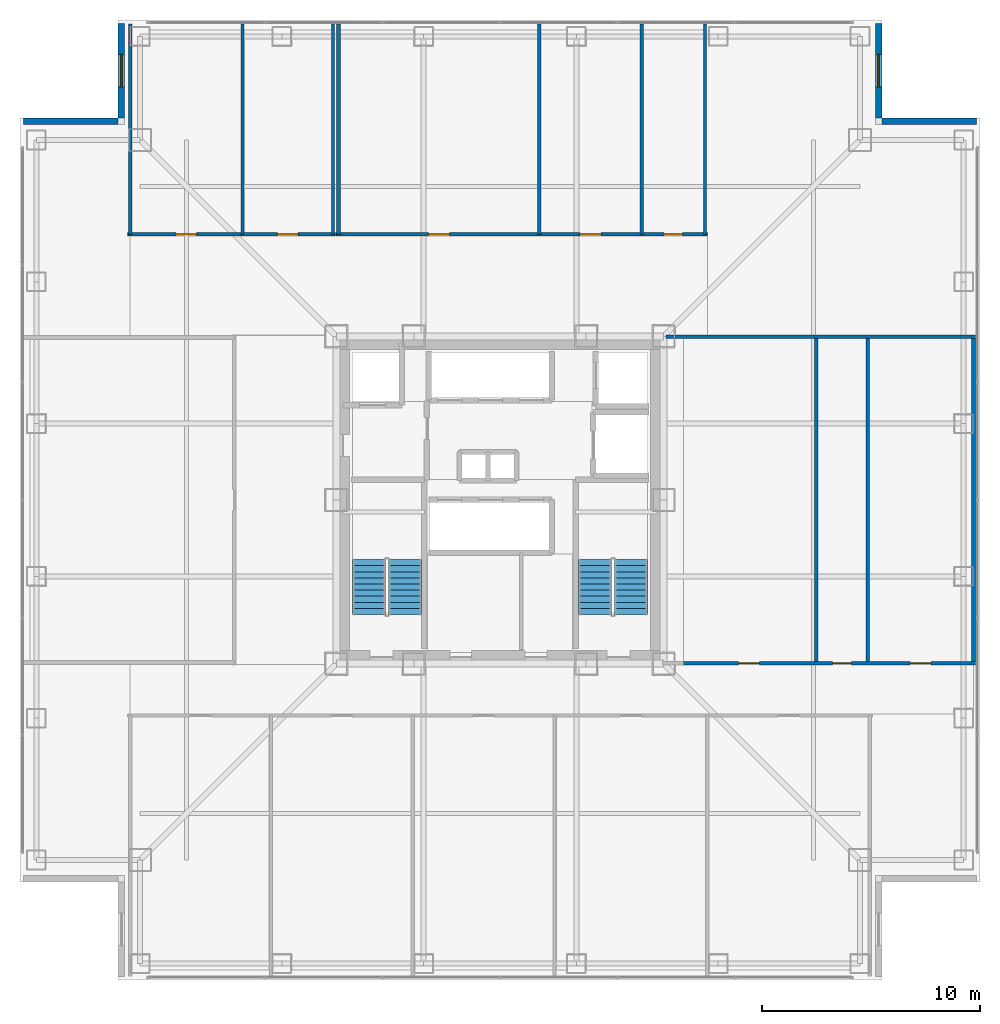
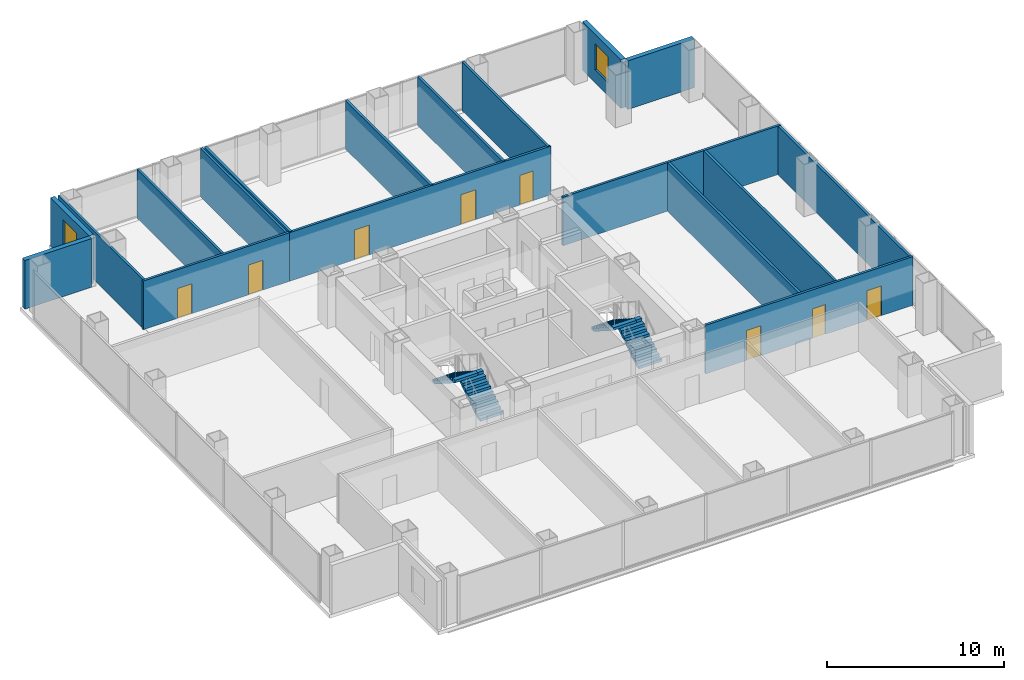
# One storey, part 14 of 17: 18 walls, 8 doors, 4 stair flights, 2 windows, 10 openings, 2 elements without a shape of their own.
"""IFC4 building model written with IfcOpenShell, lengths in metres."""

from ifc_helpers import new_model, si_unit, direction, frame, frame_2d, origin, place, context, subcontext, project, spatial, polyline, rectangle, outline, extrude, material, layer, layer_set, type_object, element, fill, aggregate, save


model = new_model("IFC4")

# Units and contexts
model_context = context("Model", 3, precision=1e-05, world=origin(), true_north=direction((0.0, 1.0)))
body_context = subcontext(model_context, "Body", "Model", "MODEL_VIEW")
ifc_project = project(units=[si_unit("LENGTHUNIT", "METRE"), si_unit("AREAUNIT", "SQUARE_METRE"), si_unit("VOLUMEUNIT", "CUBIC_METRE"), si_unit("PLANEANGLEUNIT", "RADIAN"), si_unit("MASSUNIT", "GRAM", prefix="KILO")], contexts=[model_context])

# Site, building, storey
site_placement = place(None, origin())
site = spatial("IfcSite", under=ifc_project, at=site_placement, CompositionType="ELEMENT")
building_placement = place(site_placement, origin())
building = spatial("IfcBuilding", under=site, at=building_placement, Name="Trevonay Congress Spire", CompositionType="ELEMENT")
storey_placement = place(building_placement, frame((0.0, 0.0, 108.39990234375)))
storey = spatial("IfcBuildingStorey", under=building, at=storey_placement, Name="L27", CompositionType="ELEMENT", Elevation=108.39990234375)

# Wall, openings, doors
ifc_material_1 = material(Name="Concrete C40/50", Category="concrete")
ifc_layer_1 = layer(ifc_material_1, 0.14990234375, Name="Concrete C40/50")
ifc_layer_set_1 = layer_set([ifc_layer_1], Name="Concrete C40/50")
wall_type_1 = type_object("IfcWallType", Name="WAL-CORR-150", PredefinedType="PARTITIONING", material=ifc_layer_set_1)
wall_1_placement = place(storey_placement, frame((-17.070068359375, 12.179931640625, 0.0), z_axis=(0.0, 0.0, 1.0), x_axis=(1.0, 0.0, 0.0)))
wall_1 = element("IfcWall", 1, at=wall_1_placement, inside=storey, type_object=wall_type_1, Name="L27 interior wall WP-L27NW-COR", PredefinedType="PARTITIONING", context=body_context, shape_type="SweptSolid", body=[
    extrude(rectangle(XDim=9.5400390625, YDim=0.14990234375, at=frame_2d((4.77001953125, 0.0))), origin(), (0.0, 0.0, 1.0), 3.360107421875),
])
opening_1_placement = place(wall_1_placement, frame((2.219970703125, 0.0, 0.0)))
opening_1 = element("IfcOpeningElement", 2, at=opening_1_placement, cuts=wall_1, Name="Opening D07", PredefinedType="OPENING", context=body_context, shape_type="SweptSolid", body=[
    extrude(rectangle(XDim=0.949951171875, YDim=2.06005859375, at=frame_2d((0.47509765625, 1.030029296875))), frame((0.0, 0.0849609375, 0.0), z_axis=(0.0, -1.0, 0.0), x_axis=(1.0, 0.0, 0.0)), (0.0, 0.0, 1.0), 0.169921875),
])
opening_2_placement = place(wall_1_placement, frame((6.8701171875, 0.0, 0.0)))
opening_2 = element("IfcOpeningElement", 3, at=opening_2_placement, cuts=wall_1, Name="Opening D07", PredefinedType="OPENING", context=body_context, shape_type="SweptSolid", body=[
    extrude(rectangle(XDim=0.949951171875, YDim=2.06005859375, at=frame_2d((0.47509765625, 1.030029296875))), frame((0.0, 0.0849609375, 0.0), z_axis=(0.0, -1.0, 0.0), x_axis=(1.0, 0.0, 0.0)), (0.0, 0.0, 1.0), 0.169921875),
])
ifc_material_2 = material(Name="Pale Anodised Aluminium EN AW-6063-T6", Category="aluminium")
door_type_1 = type_object("IfcDoorType", Name="DOR-OFFICE-95", OperationType="NOTDEFINED", PredefinedType="DOOR", material=ifc_material_2)
door_1_placement = place(opening_1_placement, origin())
door_1 = element("IfcDoor", 4, at=door_1_placement, inside=storey, type_object=door_type_1, Name="L27 Archive Registry Office Door", OperationType="SINGLE_SWING_LEFT", OverallHeight=2.06005859375, OverallWidth=0.949951171875, PredefinedType="DOOR", context=body_context, shape_type="SweptSolid", body=[
    extrude(rectangle(XDim=0.949951171875, YDim=2.06005859375, at=frame_2d((0.47509765625, 1.030029296875))), frame((0.0, 0.02490234375, 0.0), z_axis=(0.0, -1.0, 0.0), x_axis=(1.0, 0.0, 0.0)), (0.0, 0.0, 1.0), 0.050048828125),
])
fill(opening_1, door_1)
door_2_placement = place(opening_2_placement, origin())
door_2 = element("IfcDoor", 5, at=door_2_placement, inside=storey, type_object=door_type_1, Name="L27 Staff Coffee Kitchen Door", OperationType="SINGLE_SWING_RIGHT", OverallHeight=2.06005859375, OverallWidth=0.949951171875, PredefinedType="DOOR", context=body_context, shape_type="SweptSolid", body=[
    extrude(rectangle(XDim=0.949951171875, YDim=2.06005859375, at=frame_2d((0.47509765625, 1.030029296875))), frame((0.0, 0.02490234375, 0.0), z_axis=(0.0, -1.0, 0.0), x_axis=(1.0, 0.0, 0.0)), (0.0, 0.0, 1.0), 0.050048828125),
])
fill(opening_2, door_2)

wall_2_placement = place(storey_placement, frame((-7.52001953125, 12.179931640625, 0.0), z_axis=(0.0, 0.0, 1.0), x_axis=(1.0, 0.0, 0.0)))
wall_2 = element("IfcWall", 6, at=wall_2_placement, inside=storey, type_object=wall_type_1, Name="L27 interior wall WP-L27NE-COR", PredefinedType="PARTITIONING", context=body_context, shape_type="SweptSolid", body=[
    extrude(rectangle(XDim=17.0400390625, YDim=0.14990234375, at=frame_2d((8.52001953125, 0.0))), origin(), (0.0, 0.0, 1.0), 3.360107421875),
])
opening_3_placement = place(wall_2_placement, frame((4.2451171875, 0.0, 0.0)))
opening_3 = element("IfcOpeningElement", 7, at=opening_3_placement, cuts=wall_2, Name="Opening D07", PredefinedType="OPENING", context=body_context, shape_type="SweptSolid", body=[
    extrude(rectangle(XDim=0.949951171875, YDim=2.06005859375, at=frame_2d((0.47509765625, 1.030029296875))), frame((0.0, 0.0849609375, 0.0), z_axis=(0.0, -1.0, 0.0), x_axis=(1.0, 0.0, 0.0)), (0.0, 0.0, 1.0), 0.169921875),
])
opening_4_placement = place(wall_2_placement, frame((11.195068359375, 0.0, 0.0)))
opening_4 = element("IfcOpeningElement", 8, at=opening_4_placement, cuts=wall_2, Name="Opening D07", PredefinedType="OPENING", context=body_context, shape_type="SweptSolid", body=[
    extrude(rectangle(XDim=0.949951171875, YDim=2.06005859375, at=frame_2d((0.47509765625, 1.030029296875))), frame((0.0, 0.0849609375, 0.0), z_axis=(0.0, -1.0, 0.0), x_axis=(1.0, 0.0, 0.0)), (0.0, 0.0, 1.0), 0.169921875),
])
opening_5_placement = place(wall_2_placement, frame((15.044921875, 0.0, 0.0)))
opening_5 = element("IfcOpeningElement", 9, at=opening_5_placement, cuts=wall_2, Name="Opening D10", PredefinedType="OPENING", context=body_context, shape_type="SweptSolid", body=[
    extrude(rectangle(XDim=0.85009765625, YDim=2.050048828125, at=frame_2d((0.425048828125, 1.02490234375))), frame((0.0, 0.0849609375, 0.0), z_axis=(0.0, -1.0, 0.0), x_axis=(1.0, 0.0, 0.0)), (0.0, 0.0, 1.0), 0.169921875),
])
door_3_placement = place(opening_3_placement, origin())
door_3 = element("IfcDoor", 10, at=door_3_placement, inside=storey, type_object=door_type_1, Name="L27 North-East Policy Analysts Office Door", OperationType="SINGLE_SWING_LEFT", OverallHeight=2.06005859375, OverallWidth=0.949951171875, PredefinedType="DOOR", context=body_context, shape_type="SweptSolid", body=[
    extrude(rectangle(XDim=0.949951171875, YDim=2.06005859375, at=frame_2d((0.47509765625, 1.030029296875))), frame((0.0, 0.02490234375, 0.0), z_axis=(0.0, -1.0, 0.0), x_axis=(1.0, 0.0, 0.0)), (0.0, 0.0, 1.0), 0.050048828125),
])
fill(opening_3, door_3)
door_4_placement = place(opening_4_placement, origin())
door_4 = element("IfcDoor", 11, at=door_4_placement, inside=storey, type_object=door_type_1, Name="L27 Project Review Room Door", OperationType="SINGLE_SWING_RIGHT", OverallHeight=2.06005859375, OverallWidth=0.949951171875, PredefinedType="DOOR", context=body_context, shape_type="SweptSolid", body=[
    extrude(rectangle(XDim=0.949951171875, YDim=2.06005859375, at=frame_2d((0.47509765625, 1.030029296875))), frame((0.0, 0.02490234375, 0.0), z_axis=(0.0, -1.0, 0.0), x_axis=(1.0, 0.0, 0.0)), (0.0, 0.0, 1.0), 0.050048828125),
])
fill(opening_4, door_4)
door_type_2 = type_object("IfcDoorType", Name="DOR-WC-85", OperationType="NOTDEFINED", PredefinedType="DOOR", material=ifc_material_2)
door_5_placement = place(opening_5_placement, origin())
door_5 = element("IfcDoor", 12, at=door_5_placement, inside=storey, type_object=door_type_2, Name="L27 Female Restroom WC Door", OperationType="SINGLE_SWING_LEFT", OverallHeight=2.050048828125, OverallWidth=0.85009765625, PredefinedType="DOOR", context=body_context, shape_type="SweptSolid", body=[
    extrude(rectangle(XDim=0.85009765625, YDim=2.050048828125, at=frame_2d((0.425048828125, 1.02490234375))), frame((0.0, 0.02490234375, 0.0), z_axis=(0.0, -1.0, 0.0), x_axis=(1.0, 0.0, 0.0)), (0.0, 0.0, 1.0), 0.050048828125),
])
fill(opening_5, door_5)

wall_3_placement = place(storey_placement, frame((8.280029296875, -7.47998046875, 0.0), z_axis=(0.0, 0.0, 1.0), x_axis=(1.0, 0.0, 0.0)))
wall_3 = element("IfcWall", 13, at=wall_3_placement, inside=storey, type_object=wall_type_1, Name="L27 interior wall WP-L27E-COR", PredefinedType="PARTITIONING", context=body_context, shape_type="SweptSolid", body=[
    extrude(rectangle(XDim=13.5400390625, YDim=0.14990234375, at=frame_2d((6.77001953125, 0.0))), origin(), (0.0, 0.0, 1.0), 3.360107421875),
])
opening_6_placement = place(wall_3_placement, frame((2.655029296875, 0.0, 0.0)))
opening_6 = element("IfcOpeningElement", 14, at=opening_6_placement, cuts=wall_3, Name="Opening D07", PredefinedType="OPENING", context=body_context, shape_type="SweptSolid", body=[
    extrude(rectangle(XDim=0.949951171875, YDim=2.06005859375, at=frame_2d((0.47509765625, 1.030029296875))), frame((0.0, 0.0849609375, 0.0), z_axis=(0.0, -1.0, 0.0), x_axis=(1.0, 0.0, 0.0)), (0.0, 0.0, 1.0), 0.169921875),
])
opening_7_placement = place(wall_3_placement, frame((6.969970703125, 0.0, 0.0)))
opening_7 = element("IfcOpeningElement", 15, at=opening_7_placement, cuts=wall_3, Name="Opening D10", PredefinedType="OPENING", context=body_context, shape_type="SweptSolid", body=[
    extrude(rectangle(XDim=0.85009765625, YDim=2.050048828125, at=frame_2d((0.425048828125, 1.02490234375))), frame((0.0, 0.0849609375, 0.0), z_axis=(0.0, -1.0, 0.0), x_axis=(1.0, 0.0, 0.0)), (0.0, 0.0, 1.0), 0.169921875),
])
opening_8_placement = place(wall_3_placement, frame((10.52001953125, 0.0, 0.0)))
opening_8 = element("IfcOpeningElement", 16, at=opening_8_placement, cuts=wall_3, Name="Opening D07", PredefinedType="OPENING", context=body_context, shape_type="SweptSolid", body=[
    extrude(rectangle(XDim=0.949951171875, YDim=2.06005859375, at=frame_2d((0.47509765625, 1.030029296875))), frame((0.0, 0.0849609375, 0.0), z_axis=(0.0, -1.0, 0.0), x_axis=(1.0, 0.0, 0.0)), (0.0, 0.0, 1.0), 0.169921875),
])
door_6_placement = place(opening_6_placement, origin())
door_6 = element("IfcDoor", 17, at=door_6_placement, inside=storey, type_object=door_type_1, Name="L27 East Secretariat Office Door", OperationType="SINGLE_SWING_RIGHT", OverallHeight=2.06005859375, OverallWidth=0.949951171875, PredefinedType="DOOR", context=body_context, shape_type="SweptSolid", body=[
    extrude(rectangle(XDim=0.949951171875, YDim=2.06005859375, at=frame_2d((0.47509765625, 1.030029296875))), frame((0.0, 0.02490234375, 0.0), z_axis=(0.0, -1.0, 0.0), x_axis=(1.0, 0.0, 0.0)), (0.0, 0.0, 1.0), 0.050048828125),
])
fill(opening_6, door_6)
door_7_placement = place(opening_8_placement, origin())
door_7 = element("IfcDoor", 18, at=door_7_placement, inside=storey, type_object=door_type_1, Name="L27 Floor Supplies and Copy Room Door", OperationType="SINGLE_SWING_RIGHT", OverallHeight=2.06005859375, OverallWidth=0.949951171875, PredefinedType="DOOR", context=body_context, shape_type="SweptSolid", body=[
    extrude(rectangle(XDim=0.949951171875, YDim=2.06005859375, at=frame_2d((0.47509765625, 1.030029296875))), frame((0.0, 0.02490234375, 0.0), z_axis=(0.0, -1.0, 0.0), x_axis=(1.0, 0.0, 0.0)), (0.0, 0.0, 1.0), 0.050048828125),
])
fill(opening_8, door_7)
door_8_placement = place(opening_7_placement, origin())
door_8 = element("IfcDoor", 19, at=door_8_placement, inside=storey, type_object=door_type_2, Name="L27 Male Restroom WC Door", OperationType="SINGLE_SWING_LEFT", OverallHeight=2.050048828125, OverallWidth=0.85009765625, PredefinedType="DOOR", context=body_context, shape_type="SweptSolid", body=[
    extrude(rectangle(XDim=0.85009765625, YDim=2.050048828125, at=frame_2d((0.425048828125, 1.02490234375))), frame((0.0, 0.02490234375, 0.0), z_axis=(0.0, -1.0, 0.0), x_axis=(1.0, 0.0, 0.0)), (0.0, 0.0, 1.0), 0.050048828125),
])
fill(opening_7, door_8)

# Wall, opening, window
ifc_material_3 = material(Name="Precast concrete C40/50", Category="concrete")
ifc_layer_2 = layer(ifc_material_3, 0.300048828125, Name="Precast concrete C40/50")
ifc_layer_set_2 = layer_set([ifc_layer_2], Name="Precast concrete C40/50")
wall_type_2 = type_object("IfcWallType", Name="WAL-EXT-PRECAST-300", PredefinedType="SOLIDWALL", material=ifc_layer_set_2)
wall_4_placement = place(storey_placement, frame((17.35009765625, 21.85009765625, 0.0), z_axis=(0.0, 0.0, 1.0), x_axis=(0.0, -1.0, 0.0)))
wall_4 = element("IfcWall", 20, at=wall_4_placement, inside=storey, type_object=wall_type_2, Name="L27 NE re-entrant notch exterior wall 1", PredefinedType="SOLIDWALL", context=body_context, shape_type="SweptSolid", body=[
    extrude(rectangle(XDim=4.35009765625, YDim=0.300048828125, at=frame_2d((2.175048828125, 0.0))), origin(), (0.0, 0.0, 1.0), 3.360107421875),
])
opening_9_placement = place(wall_4_placement, frame((1.425048828125, 0.0, 0.89990234375)))
opening_9 = element("IfcOpeningElement", 21, at=opening_9_placement, cuts=wall_4, Name="Opening WN03", PredefinedType="OPENING", context=body_context, shape_type="SweptSolid", body=[
    extrude(rectangle(XDim=1.5, YDim=1.800048828125, at=frame_2d((0.75, 0.89990234375))), frame((0.0, 0.16015625, 0.0), z_axis=(0.0, -1.0, 0.0), x_axis=(1.0, 0.0, 0.0)), (0.0, 0.0, 1.0), 0.320068359375),
])
ifc_material_4 = material(Name="Insulated Low-E Vision Glass IGU", Category="glass")
window_type = type_object("IfcWindowType", Name="WIN-NOTCH-150X180", PartitioningType="SINGLE_PANEL", PredefinedType="WINDOW", material=ifc_material_4)
window_1_placement = place(opening_9_placement, origin())
window_1 = element("IfcWindow", 22, at=window_1_placement, inside=storey, type_object=window_type, Name="L27 NE corner notch window", OverallHeight=1.800048828125, OverallWidth=1.5, PartitioningType="SINGLE_PANEL", PredefinedType="WINDOW", context=body_context, shape_type="SweptSolid", body=[
    extrude(rectangle(XDim=1.5, YDim=1.800048828125, at=frame_2d((0.75, 0.89990234375))), frame((0.0, 0.030029296875, 0.0), z_axis=(0.0, -1.0, 0.0), x_axis=(1.0, 0.0, 0.0)), (0.0, 0.0, 1.0), 0.06005859375),
])
fill(opening_9, window_1)

# Wall
wall_5_placement = place(storey_placement, frame((21.85009765625, 17.35009765625, 0.0), z_axis=(0.0, 0.0, 1.0), x_axis=(-1.0, 0.0, 0.0)))
element("IfcWall", 23, at=wall_5_placement, inside=storey, type_object=wall_type_2, Name="L27 NE re-entrant notch exterior wall 2", PredefinedType="SOLIDWALL", context=body_context, shape_type="SweptSolid", body=[
    extrude(rectangle(XDim=4.35009765625, YDim=0.300048828125, at=frame_2d((2.175048828125, 0.0))), origin(), (0.0, 0.0, 1.0), 3.360107421875),
])

# Wall, opening, window
wall_6_placement = place(storey_placement, frame((-17.35009765625, 21.85009765625, 0.0), z_axis=(0.0, 0.0, 1.0), x_axis=(0.0, -1.0, 0.0)))
wall_6 = element("IfcWall", 24, at=wall_6_placement, inside=storey, type_object=wall_type_2, Name="L27 NW re-entrant notch exterior wall 1", PredefinedType="SOLIDWALL", context=body_context, shape_type="SweptSolid", body=[
    extrude(rectangle(XDim=4.35009765625, YDim=0.300048828125, at=frame_2d((2.175048828125, 0.0))), origin(), (0.0, 0.0, 1.0), 3.360107421875),
])
opening_10_placement = place(wall_6_placement, frame((1.425048828125, 0.0, 0.89990234375)))
opening_10 = element("IfcOpeningElement", 25, at=opening_10_placement, cuts=wall_6, Name="Opening WN03", PredefinedType="OPENING", context=body_context, shape_type="SweptSolid", body=[
    extrude(rectangle(XDim=1.5, YDim=1.800048828125, at=frame_2d((0.75, 0.89990234375))), frame((0.0, 0.16015625, 0.0), z_axis=(0.0, -1.0, 0.0), x_axis=(1.0, 0.0, 0.0)), (0.0, 0.0, 1.0), 0.320068359375),
])
window_2_placement = place(opening_10_placement, origin())
window_2 = element("IfcWindow", 26, at=window_2_placement, inside=storey, type_object=window_type, Name="L27 NW corner notch window", OverallHeight=1.800048828125, OverallWidth=1.5, PartitioningType="SINGLE_PANEL", PredefinedType="WINDOW", context=body_context, shape_type="SweptSolid", body=[
    extrude(rectangle(XDim=1.5, YDim=1.800048828125, at=frame_2d((0.75, 0.89990234375))), frame((0.0, 0.030029296875, 0.0), z_axis=(0.0, -1.0, 0.0), x_axis=(1.0, 0.0, 0.0)), (0.0, 0.0, 1.0), 0.06005859375),
])
fill(opening_10, window_2)

# Walls
wall_7_placement = place(storey_placement, frame((-21.85009765625, 17.35009765625, 0.0), z_axis=(0.0, 0.0, 1.0), x_axis=(1.0, 0.0, 0.0)))
element("IfcWall", 27, at=wall_7_placement, inside=storey, type_object=wall_type_2, Name="L27 NW re-entrant notch exterior wall 2", PredefinedType="SOLIDWALL", context=body_context, shape_type="SweptSolid", body=[
    extrude(rectangle(XDim=4.35009765625, YDim=0.300048828125, at=frame_2d((2.175048828125, 0.0))), origin(), (0.0, 0.0, 1.0), 3.360107421875),
])
ifc_layer_3 = layer(ifc_material_1, 0.14990234375, Name="Concrete C40/50")
ifc_layer_set_3 = layer_set([ifc_layer_3], Name="Concrete C40/50")
wall_type_3 = type_object("IfcWallType", Name="WAL-PART-150", PredefinedType="PARTITIONING", material=ifc_layer_set_3)
for number, where, z_axis, x_axis, name in (
    (28, (-16.949951171875, 12.179931640625, 0.0), (0.0, 0.0, 1.0), (0.0, 1.0, 0.0), "L27 interior wall WP-L27NW-DIV1"),
    (29, (-11.800048828125, 12.179931640625, 0.0), (0.0, 0.0, 1.0), (0.0, 1.0, 0.0), "L27 interior wall WP-L27NW-DIV2"),
    (30, (-7.64990234375, 12.179931640625, 0.0), (0.0, 0.0, 1.0), (0.0, 1.0, 0.0), "L27 interior wall WP-L27NW-DIV3"),
    (31, (6.5, 12.179931640625, 0.0), (0.0, 0.0, 1.0), (0.0, 1.0, 0.0), "L27 interior wall WP-L27NE-DIV3"),
    (32, (9.39990234375, 12.179931640625, 0.0), (0.0, 0.0, 1.0), (0.0, 1.0, 0.0), "L27 interior wall WP-L27NE-DIV4"),
):
    element("IfcWall", number, at=place(storey_placement, frame(where, z_axis=z_axis, x_axis=x_axis)), inside=storey, type_object=wall_type_3, Name=name, PredefinedType="PARTITIONING", context=body_context, shape_type="SweptSolid", body=[
        extrude(rectangle(XDim=9.64013671875, YDim=0.14990234375, at=frame_2d((4.820068359375, 0.0))), origin(), (0.0, 0.0, 1.0), 3.360107421875),
    ])
wall_8_placement = place(storey_placement, frame((7.60009765625, 7.47998046875, 0.0), z_axis=(0.0, 0.0, 1.0), x_axis=(1.0, 0.0, 0.0)))
element("IfcWall", 33, at=wall_8_placement, inside=storey, type_object=wall_type_3, Name="L27 interior wall WP-L27E-NCLS", PredefinedType="PARTITIONING", context=body_context, shape_type="SweptSolid", body=[
    extrude(rectangle(XDim=14.219970703125, YDim=0.14990234375, at=frame_2d((7.10986328125, 0.0))), origin(), (0.0, 0.0, 1.0), 3.360107421875),
])
ifc_layer_4 = layer(ifc_material_1, 0.1650390625, Name="Concrete C40/50")
ifc_layer_set_4 = layer_set([ifc_layer_4], Name="Concrete C40/50")
wall_type_4 = type_object("IfcWallType", Name="WAL-WET-165", PredefinedType="PLUMBINGWALL", material=ifc_layer_set_4)
for number, where, z_axis, x_axis, name in (
    (34, (-7.39990234375, 12.179931640625, 0.0), (0.0, 0.0, 1.0), (0.0, 1.0, 0.0), "L27 interior wall WP-L27NE-DIV1"),
    (35, (1.800048828125, 12.179931640625, 0.0), (0.0, 0.0, 1.0), (0.0, 1.0, 0.0), "L27 interior wall WP-L27NE-DIV2"),
):
    element("IfcWall", number, at=place(storey_placement, frame(where, z_axis=z_axis, x_axis=x_axis)), inside=storey, type_object=wall_type_4, Name=name, PredefinedType="PLUMBINGWALL", context=body_context, shape_type="SweptSolid", body=[
        extrude(rectangle(XDim=9.64013671875, YDim=0.1650390625, at=frame_2d((4.820068359375, 0.0))), origin(), (0.0, 0.0, 1.0), 3.360107421875),
    ])
for number, where, z_axis, x_axis, name in (
    (36, (16.85009765625, -7.47998046875, 0.0), (0.0, 0.0, 1.0), (0.0, 1.0, 0.0), "L27 interior wall WP-L27E-WCS2"),
    (37, (14.5, -7.47998046875, 0.0), (0.0, 0.0, 1.0), (0.0, 1.0, 0.0), "L27 interior wall WP-L27E-DIV1"),
    (38, (21.699951171875, -7.47998046875, 0.0), (0.0, 0.0, 1.0), (0.0, 1.0, 0.0), "L27 interior wall WP-L27E-DIV2"),
):
    element("IfcWall", number, at=place(storey_placement, frame(where, z_axis=z_axis, x_axis=x_axis)), inside=storey, type_object=wall_type_4, Name=name, PredefinedType="PLUMBINGWALL", context=body_context, shape_type="SweptSolid", body=[
        extrude(rectangle(XDim=14.8798828125, YDim=0.1650390625, at=frame_2d((7.43994140625, 0.0))), origin(), (0.0, 0.0, 1.0), 3.360107421875),
    ])

# Stair, stair flights
stair_type_1 = type_object("IfcStairType", Name="STR-ST-1", PredefinedType="HALF_TURN_STAIR", material=ifc_material_1)
stair_1_placement = place(storey_placement, origin())
stair_1 = element("IfcStair", 39, at=stair_1_placement, inside=storey, type_object=stair_type_1, Name="L27 Protected Exit Stair ST-1", PredefinedType="HALF_TURN_STAIR")
stair_flight_type_1 = type_object("IfcStairFlightType", Name="SFL-ST-1", PredefinedType="STRAIGHT", material=ifc_material_1)
stair_flight_1_placement = place(storey_placement, frame((-4.35009765625, -5.25, 0.0), z_axis=(0.0, 0.0, 1.0), x_axis=(0.0, 1.0, 0.0)))
stair_flight_1 = element("IfcStairFlight", 40, at=stair_flight_1_placement, type_object=stair_flight_type_1, Name="ST-1 flight 1", NumberOfRisers=10, NumberOfTreads=9, PredefinedType="STRAIGHT", RiserHeight=0.18, TreadLength=0.28, context=body_context, shape_type="SweptSolid", body=[
    extrude(outline(polyline([(0.0, 0.0), (0.0, 0.179931640625), (0.280029296875, 0.179931640625), (0.280029296875, 0.360107421875), (0.56005859375, 0.360107421875), (0.56005859375, 0.5400390625), (0.840087890625, 0.5400390625), (0.840087890625, 0.719970703125), (1.1201171875, 0.719970703125), (1.1201171875, 0.89990234375), (1.39990234375, 0.89990234375), (1.39990234375, 1.080078125), (1.679931640625, 1.080078125), (1.679931640625, 1.260009765625), (1.9599609375, 1.260009765625), (1.9599609375, 1.43994140625), (2.239990234375, 1.43994140625), (2.239990234375, 1.6201171875), (2.52001953125, 1.6201171875), (2.52001953125, 1.800048828125), (2.52001953125, 1.44189453125), (0.277099609375, 0.0), (0.0, 0.0)])), frame((0.0, 0.75, 0.0), z_axis=(0.0, -1.0, 0.0), x_axis=(1.0, 0.0, 0.0)), (0.0, 0.0, 1.0), 1.5),
])
stair_flight_2_placement = place(storey_placement, frame((-6.0, -2.72998046875, 1.800048828125), z_axis=(0.0, 0.0, 1.0), x_axis=(0.0, -1.0, 0.0)))
stair_flight_2 = element("IfcStairFlight", 41, at=stair_flight_2_placement, type_object=stair_flight_type_1, Name="ST-1 flight 2", NumberOfRisers=10, NumberOfTreads=9, PredefinedType="STRAIGHT", RiserHeight=0.18, TreadLength=0.28, context=body_context, shape_type="SweptSolid", body=[
    extrude(outline(polyline([(0.0, 0.0), (0.0, 0.179931640625), (0.280029296875, 0.179931640625), (0.280029296875, 0.360107421875), (0.56005859375, 0.360107421875), (0.56005859375, 0.5400390625), (0.840087890625, 0.5400390625), (0.840087890625, 0.719970703125), (1.1201171875, 0.719970703125), (1.1201171875, 0.89990234375), (1.39990234375, 0.89990234375), (1.39990234375, 1.080078125), (1.679931640625, 1.080078125), (1.679931640625, 1.260009765625), (1.9599609375, 1.260009765625), (1.9599609375, 1.43994140625), (2.239990234375, 1.43994140625), (2.239990234375, 1.6201171875), (2.52001953125, 1.6201171875), (2.52001953125, 1.800048828125), (2.52001953125, 1.44189453125), (0.277099609375, 0.0), (0.0, 0.0)])), frame((0.0, 0.75, 0.0), z_axis=(0.0, -1.0, 0.0), x_axis=(1.0, 0.0, 0.0)), (0.0, 0.0, 1.0), 1.5),
])
aggregate(stair_1, [stair_flight_1, stair_flight_2])

stair_type_2 = type_object("IfcStairType", Name="STR-ST-2", PredefinedType="HALF_TURN_STAIR", material=ifc_material_1)
stair_2_placement = place(storey_placement, origin())
stair_2 = element("IfcStair", 42, at=stair_2_placement, inside=storey, type_object=stair_type_2, Name="L27 Protected Exit Stair ST-2", PredefinedType="HALF_TURN_STAIR")
stair_flight_type_2 = type_object("IfcStairFlightType", Name="SFL-ST-2", PredefinedType="STRAIGHT", material=ifc_material_1)
stair_flight_3_placement = place(storey_placement, frame((6.0, -5.25, 0.0), z_axis=(0.0, 0.0, 1.0), x_axis=(0.0, 1.0, 0.0)))
stair_flight_3 = element("IfcStairFlight", 43, at=stair_flight_3_placement, type_object=stair_flight_type_2, Name="ST-2 flight 1", NumberOfRisers=10, NumberOfTreads=9, PredefinedType="STRAIGHT", RiserHeight=0.18, TreadLength=0.28, context=body_context, shape_type="SweptSolid", body=[
    extrude(outline(polyline([(0.0, 0.0), (0.0, 0.179931640625), (0.280029296875, 0.179931640625), (0.280029296875, 0.360107421875), (0.56005859375, 0.360107421875), (0.56005859375, 0.5400390625), (0.840087890625, 0.5400390625), (0.840087890625, 0.719970703125), (1.1201171875, 0.719970703125), (1.1201171875, 0.89990234375), (1.39990234375, 0.89990234375), (1.39990234375, 1.080078125), (1.679931640625, 1.080078125), (1.679931640625, 1.260009765625), (1.9599609375, 1.260009765625), (1.9599609375, 1.43994140625), (2.239990234375, 1.43994140625), (2.239990234375, 1.6201171875), (2.52001953125, 1.6201171875), (2.52001953125, 1.800048828125), (2.52001953125, 1.44189453125), (0.277099609375, 0.0), (0.0, 0.0)])), frame((0.0, 0.75, 0.0), z_axis=(0.0, -1.0, 0.0), x_axis=(1.0, 0.0, 0.0)), (0.0, 0.0, 1.0), 1.5),
])
stair_flight_4_placement = place(storey_placement, frame((4.35009765625, -2.72998046875, 1.800048828125), z_axis=(0.0, 0.0, 1.0), x_axis=(0.0, -1.0, 0.0)))
stair_flight_4 = element("IfcStairFlight", 44, at=stair_flight_4_placement, type_object=stair_flight_type_2, Name="ST-2 flight 2", NumberOfRisers=10, NumberOfTreads=9, PredefinedType="STRAIGHT", RiserHeight=0.18, TreadLength=0.28, context=body_context, shape_type="SweptSolid", body=[
    extrude(outline(polyline([(0.0, 0.0), (0.0, 0.179931640625), (0.280029296875, 0.179931640625), (0.280029296875, 0.360107421875), (0.56005859375, 0.360107421875), (0.56005859375, 0.5400390625), (0.840087890625, 0.5400390625), (0.840087890625, 0.719970703125), (1.1201171875, 0.719970703125), (1.1201171875, 0.89990234375), (1.39990234375, 0.89990234375), (1.39990234375, 1.080078125), (1.679931640625, 1.080078125), (1.679931640625, 1.260009765625), (1.9599609375, 1.260009765625), (1.9599609375, 1.43994140625), (2.239990234375, 1.43994140625), (2.239990234375, 1.6201171875), (2.52001953125, 1.6201171875), (2.52001953125, 1.800048828125), (2.52001953125, 1.44189453125), (0.277099609375, 0.0), (0.0, 0.0)])), frame((0.0, 0.75, 0.0), z_axis=(0.0, -1.0, 0.0), x_axis=(1.0, 0.0, 0.0)), (0.0, 0.0, 1.0), 1.5),
])
aggregate(stair_2, [stair_flight_3, stair_flight_4])

save(model, "model.ifc")
